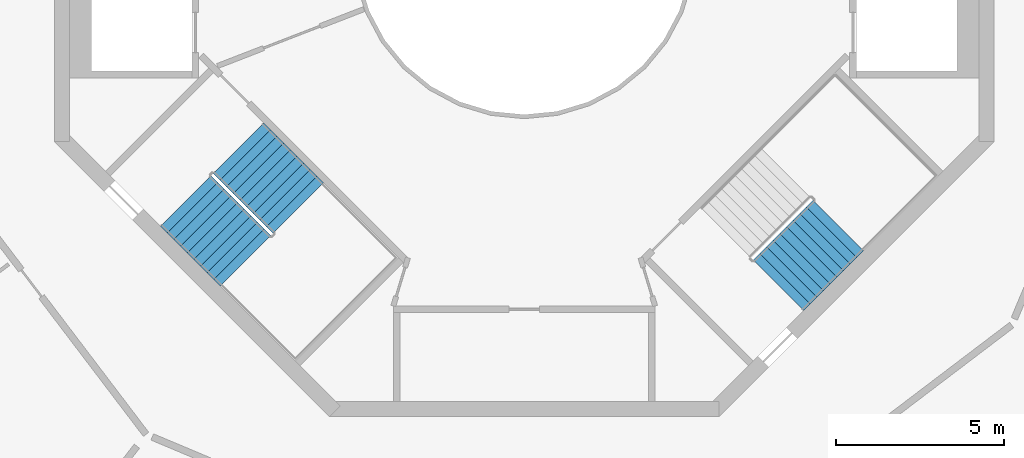
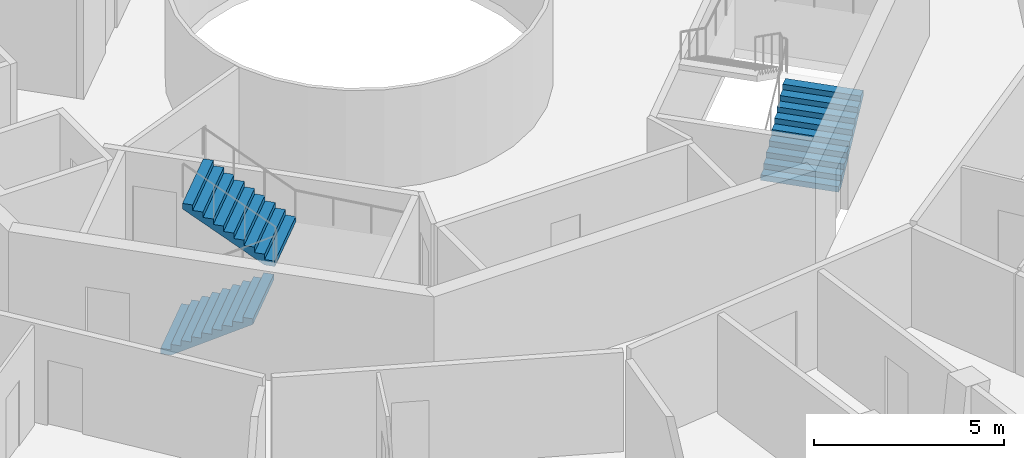
# One storey, part 24 of 26: 3 stair flights, 2 elements without a shape of their own.
"""IFC4 building model written with IfcOpenShell, lengths in metres."""

from ifc_helpers import new_model, si_unit, direction, frame, origin, place, context, subcontext, project, spatial, triangles, material, type_object, element, aggregate, save


model = new_model("IFC4")

# Units and contexts
model_context = context("Model", 3, precision=1e-05, world=origin(), true_north=direction((0.0, 1.0)))
body_context = subcontext(model_context, "Body", "Model", "MODEL_VIEW")
ifc_project = project(units=[si_unit("LENGTHUNIT", "METRE"), si_unit("AREAUNIT", "SQUARE_METRE"), si_unit("VOLUMEUNIT", "CUBIC_METRE"), si_unit("PLANEANGLEUNIT", "RADIAN"), si_unit("MASSUNIT", "GRAM", prefix="KILO")], contexts=[model_context])

# Site, building, storey
site_placement = place(None, origin())
site = spatial("IfcSite", under=ifc_project, at=site_placement, CompositionType="ELEMENT")
building_placement = place(site_placement, origin())
building = spatial("IfcBuilding", under=site, at=building_placement, Name="Verdalira Terraces Hotel", CompositionType="ELEMENT")
storey_placement = place(building_placement, frame((0.0, 0.0, 306.5)))
storey = spatial("IfcBuildingStorey", under=building, at=storey_placement, Name="L76", CompositionType="ELEMENT", Elevation=306.5)

# Stair, stair flights
ifc_material_1 = material(Name="Concrete C40", Category="concrete")
stair_type = type_object("IfcStairType", Name="Core stair 20 risers 2125 mm wide", PredefinedType="HALF_TURN_STAIR", material=ifc_material_1)
stair_1_placement = place(storey_placement, origin())
stair_1 = element("IfcStair", 1, at=stair_1_placement, inside=storey, type_object=stair_type, Name="L76 Exit stair ST2", PredefinedType="HALF_TURN_STAIR")
ifc_material_2 = material(Name="Concrete C40", Category="concrete")
stair_flight_type = type_object("IfcStairFlightType", Name="Core stair flight 20 risers 2125 mm wide", PredefinedType="STRAIGHT", material=ifc_material_2)
stair_flight_1_placement = place(storey_placement, frame((-10.085205, -7.574951, 0.0), z_axis=(0.0, 0.0, 1.0), x_axis=(0.707106781, -0.707106781, 0.0)))
stair_flight_1 = element("IfcStairFlight", 2, at=stair_flight_1_placement, type_object=stair_flight_type, Name="ST2 flight 1", NumberOfRisers=10, NumberOfTreads=9, PredefinedType="STRAIGHT", RiserHeight=0.175, TreadLength=0.28, context=body_context, shape_type="Tessellation", body=[
    triangles([(0.0, 1.0625, 0.0), (0.282715, 1.0625, 0.0), (2.52002, 1.0625, 1.398193), (0.0, -1.0625, 0.0), (0.282715, -1.0625, 0.0), (2.52002, -1.0625, 1.398193), (2.52002, 1.0625, 1.574951), (2.23999, 1.0625, 1.574951), (2.52002, -1.0625, 1.574951), (2.23999, -1.0625, 1.574951), (2.23999, 1.0625, 1.399902), (2.23999, -1.0625, 1.399902), (1.959961, 1.0625, 1.399902), (1.959961, -1.0625, 1.399902), (1.959961, 1.0625, 1.225098), (1.959961, -1.0625, 1.225098), (1.679932, 1.0625, 1.225098), (1.679932, 1.0625, 1.050049), (1.679932, -1.0625, 1.225098), (1.679932, -1.0625, 1.050049), (1.399902, 1.0625, 1.050049), (1.399902, 1.0625, 0.875), (1.399902, -1.0625, 1.050049), (1.399902, -1.0625, 0.875), (1.120117, 1.0625, 0.875), (1.120117, 1.0625, 0.699951), (1.120117, -1.0625, 0.875), (1.120117, -1.0625, 0.699951), (0.840088, 1.0625, 0.699951), (0.840088, 1.0625, 0.524902), (0.840088, -1.0625, 0.699951), (0.840088, -1.0625, 0.524902), (0.560059, 1.0625, 0.524902), (0.560059, 1.0625, 0.350098), (0.560059, -1.0625, 0.524902), (0.560059, -1.0625, 0.350098), (0.280029, 1.0625, 0.350098), (0.280029, 1.0625, 0.175049), (0.280029, -1.0625, 0.350098), (0.280029, -1.0625, 0.175049), (0.0, 1.0625, 0.175049), (0.0, -1.0625, 0.175049), (0.0, -0.996094, 0.0), (0.0, -0.996094, 0.175049), (0.0, -0.929688, 0.0), (0.0, -0.929688, 0.175049), (0.0, -0.863281, 0.0), (0.0, -0.863281, 0.175049), (0.0, -0.796875, 0.0), (0.0, -0.796875, 0.175049), (0.0, -0.730469, 0.0), (0.0, -0.730469, 0.175049), (0.0, -0.664062, 0.0), (0.0, -0.664062, 0.175049), (0.0, -0.597656, 0.0), (0.0, -0.597656, 0.175049), (0.0, -0.53125, 0.0), (0.0, -0.53125, 0.175049), (0.0, -0.464844, 0.0), (0.0, -0.464844, 0.175049), (0.0, -0.398438, 0.0), (0.0, -0.398438, 0.175049), (0.0, -0.332031, 0.0), (0.0, -0.332031, 0.175049), (0.0, -0.265625, 0.0), (0.0, -0.265625, 0.175049), (0.0, -0.199219, 0.0), (0.0, -0.199219, 0.175049), (0.0, -0.132812, 0.0), (0.0, -0.132812, 0.175049), (0.0, -0.066406, 0.0), (0.0, -0.066406, 0.175049), (0.0, 0.0, 0.0), (0.0, 0.0, 0.175049), (0.0, 0.066406, 0.0), (0.0, 0.066406, 0.175049), (0.0, 0.132812, 0.0), (0.0, 0.132812, 0.175049), (0.0, 0.199219, 0.0), (0.0, 0.199219, 0.175049), (0.0, 0.265625, 0.0), (0.0, 0.265625, 0.175049), (0.0, 0.332031, 0.0), (0.0, 0.332031, 0.175049), (0.0, 0.398438, 0.0), (0.0, 0.398438, 0.175049), (0.0, 0.464844, 0.0), (0.0, 0.464844, 0.175049), (0.0, 0.53125, 0.0), (0.0, 0.53125, 0.175049), (0.0, 0.597656, 0.0), (0.0, 0.597656, 0.175049), (0.0, 0.664062, 0.0), (0.0, 0.664062, 0.175049), (0.0, 0.730469, 0.0), (0.0, 0.730469, 0.175049), (0.0, 0.796875, 0.0), (0.0, 0.796875, 0.175049), (0.0, 0.863281, 0.0), (0.0, 0.863281, 0.175049), (0.0, 0.929688, 0.0), (0.0, 0.929688, 0.175049), (0.0, 0.996094, 0.0), (0.0, 0.996094, 0.175049), (2.52002, -0.996094, 1.574951), (2.52002, -0.929688, 1.574951), (2.52002, -0.863281, 1.574951), (2.52002, -0.796875, 1.574951), (2.52002, -0.730469, 1.574951), (2.52002, -0.664062, 1.574951), (2.52002, -0.597656, 1.574951), (2.52002, -0.53125, 1.574951), (2.52002, -0.464844, 1.574951), (2.52002, -0.398438, 1.574951), (2.52002, -0.332031, 1.574951), (2.52002, -0.265625, 1.574951), (2.52002, -0.199219, 1.574951), (2.52002, -0.132812, 1.574951), (2.52002, -0.066406, 1.574951), (2.52002, 0.0, 1.574951), (2.52002, 0.066406, 1.574951), (2.52002, 0.132812, 1.574951), (2.52002, 0.199219, 1.574951), (2.52002, 0.265625, 1.574951), (2.52002, 0.332031, 1.574951), (2.52002, 0.398438, 1.574951), (2.52002, 0.464844, 1.574951), (2.52002, 0.53125, 1.574951), (2.52002, 0.597656, 1.574951), (2.52002, 0.664062, 1.574951), (2.52002, 0.730469, 1.574951), (2.52002, 0.796875, 1.574951), (2.52002, 0.863281, 1.574951), (2.52002, 0.929688, 1.574951), (2.52002, 0.996094, 1.574951), (2.52002, -0.996094, 1.398193), (2.52002, -0.929688, 1.398193), (2.52002, -0.863281, 1.398193), (2.52002, -0.796875, 1.398193), (2.52002, -0.730469, 1.398193), (2.52002, -0.664062, 1.398193), (2.52002, -0.597656, 1.398193), (2.52002, -0.53125, 1.398193), (2.52002, -0.464844, 1.398193), (2.52002, -0.398438, 1.398193), (2.52002, -0.332031, 1.398193), (2.52002, -0.265625, 1.398193), (2.52002, -0.199219, 1.398193), (2.52002, -0.132812, 1.398193), (2.52002, -0.066406, 1.398193), (2.52002, 0.0, 1.398193), (2.52002, 0.066406, 1.398193), (2.52002, 0.132812, 1.398193), (2.52002, 0.199219, 1.398193), (2.52002, 0.265625, 1.398193), (2.52002, 0.332031, 1.398193), (2.52002, 0.398438, 1.398193), (2.52002, 0.464844, 1.398193), (2.52002, 0.53125, 1.398193), (2.52002, 0.597656, 1.398193), (2.52002, 0.664062, 1.398193), (2.52002, 0.730469, 1.398193), (2.52002, 0.796875, 1.398193), (2.52002, 0.863281, 1.398193), (2.52002, 0.929688, 1.398193), (2.52002, 0.996094, 1.398193)], [[1, 3, 2], [4, 5, 6], [3, 8, 7], [6, 9, 10], [3, 11, 8], [6, 10, 12], [3, 13, 11], [6, 12, 14], [3, 15, 13], [6, 14, 16], [15, 18, 17], [16, 19, 20], [3, 18, 15], [6, 16, 20], [18, 22, 21], [20, 23, 24], [3, 22, 18], [6, 20, 24], [22, 26, 25], [24, 27, 28], [3, 26, 22], [6, 24, 28], [26, 30, 29], [28, 31, 32], [3, 30, 26], [6, 28, 32], [1, 30, 3], [4, 6, 32], [30, 34, 33], [32, 35, 36], [34, 38, 37], [36, 39, 40], [30, 38, 34], [32, 36, 40], [1, 38, 30], [4, 32, 40], [38, 1, 41], [40, 42, 4], [4, 44, 43], [4, 42, 44], [43, 46, 45], [43, 44, 46], [45, 48, 47], [45, 46, 48], [47, 50, 49], [47, 48, 50], [49, 52, 51], [49, 50, 52], [51, 54, 53], [51, 52, 54], [53, 56, 55], [53, 54, 56], [55, 58, 57], [55, 56, 58], [57, 60, 59], [57, 58, 60], [59, 62, 61], [59, 60, 62], [61, 64, 63], [61, 62, 64], [63, 66, 65], [63, 64, 66], [65, 68, 67], [65, 66, 68], [67, 70, 69], [67, 68, 70], [69, 72, 71], [69, 70, 72], [71, 74, 73], [71, 72, 74], [73, 76, 75], [73, 74, 76], [75, 78, 77], [75, 76, 78], [77, 80, 79], [77, 78, 80], [79, 82, 81], [79, 80, 82], [81, 84, 83], [81, 82, 84], [83, 86, 85], [83, 84, 86], [85, 88, 87], [85, 86, 88], [87, 90, 89], [87, 88, 90], [89, 92, 91], [89, 90, 92], [91, 94, 93], [91, 92, 94], [93, 96, 95], [93, 94, 96], [95, 98, 97], [95, 96, 98], [97, 100, 99], [97, 98, 100], [99, 102, 101], [99, 100, 102], [101, 104, 103], [101, 102, 104], [103, 41, 1], [103, 104, 41], [42, 40, 44], [44, 40, 46], [46, 40, 48], [48, 40, 50], [50, 40, 52], [52, 40, 54], [54, 40, 56], [56, 40, 58], [58, 40, 60], [60, 40, 62], [62, 40, 64], [64, 40, 66], [66, 40, 68], [68, 40, 70], [70, 40, 72], [72, 40, 74], [74, 40, 76], [76, 40, 78], [78, 40, 80], [80, 40, 82], [82, 40, 84], [84, 40, 86], [86, 40, 88], [88, 40, 90], [90, 40, 92], [92, 40, 94], [94, 40, 96], [96, 40, 98], [98, 40, 100], [100, 40, 102], [102, 40, 104], [104, 40, 41], [41, 40, 38], [40, 37, 38], [40, 39, 37], [39, 34, 37], [39, 36, 34], [36, 33, 34], [36, 35, 33], [35, 30, 33], [35, 32, 30], [32, 29, 30], [32, 31, 29], [31, 26, 29], [31, 28, 26], [28, 25, 26], [28, 27, 25], [27, 22, 25], [27, 24, 22], [24, 21, 22], [24, 23, 21], [23, 18, 21], [23, 20, 18], [20, 17, 18], [20, 19, 17], [19, 15, 17], [19, 16, 15], [16, 13, 15], [16, 14, 13], [14, 11, 13], [14, 12, 11], [12, 8, 11], [12, 10, 8], [9, 105, 10], [105, 106, 10], [106, 107, 10], [107, 108, 10], [108, 109, 10], [109, 110, 10], [110, 111, 10], [111, 112, 10], [112, 113, 10], [113, 114, 10], [114, 115, 10], [115, 116, 10], [116, 117, 10], [117, 118, 10], [118, 119, 10], [119, 120, 10], [120, 121, 10], [121, 122, 10], [122, 123, 10], [123, 124, 10], [124, 125, 10], [125, 126, 10], [126, 127, 10], [127, 128, 10], [128, 129, 10], [129, 130, 10], [130, 131, 10], [131, 132, 10], [132, 133, 10], [133, 134, 10], [134, 135, 10], [135, 7, 10], [7, 8, 10], [9, 136, 105], [9, 6, 136], [105, 137, 106], [105, 136, 137], [106, 138, 107], [106, 137, 138], [107, 139, 108], [107, 138, 139], [108, 140, 109], [108, 139, 140], [109, 141, 110], [109, 140, 141], [110, 142, 111], [110, 141, 142], [111, 143, 112], [111, 142, 143], [112, 144, 113], [112, 143, 144], [113, 145, 114], [113, 144, 145], [114, 146, 115], [114, 145, 146], [115, 147, 116], [115, 146, 147], [116, 148, 117], [116, 147, 148], [117, 149, 118], [117, 148, 149], [118, 150, 119], [118, 149, 150], [119, 151, 120], [119, 150, 151], [120, 152, 121], [120, 151, 152], [121, 153, 122], [121, 152, 153], [122, 154, 123], [122, 153, 154], [123, 155, 124], [123, 154, 155], [124, 156, 125], [124, 155, 156], [125, 157, 126], [125, 156, 157], [126, 158, 127], [126, 157, 158], [127, 159, 128], [127, 158, 159], [128, 160, 129], [128, 159, 160], [129, 161, 130], [129, 160, 161], [130, 162, 131], [130, 161, 162], [131, 163, 132], [131, 162, 163], [132, 164, 133], [132, 163, 164], [133, 165, 134], [133, 164, 165], [134, 166, 135], [134, 165, 166], [135, 3, 7], [135, 166, 3], [6, 5, 136], [136, 5, 137], [137, 5, 138], [138, 5, 139], [139, 5, 140], [140, 5, 141], [141, 5, 142], [142, 5, 143], [143, 5, 144], [144, 5, 145], [145, 5, 146], [146, 5, 147], [147, 5, 148], [148, 5, 149], [149, 5, 150], [150, 5, 151], [151, 5, 152], [152, 5, 153], [153, 5, 154], [154, 5, 155], [155, 5, 156], [156, 5, 157], [157, 5, 158], [158, 5, 159], [159, 5, 160], [160, 5, 161], [161, 5, 162], [162, 5, 163], [163, 5, 164], [164, 5, 165], [165, 5, 166], [166, 5, 3], [3, 5, 2], [4, 43, 5], [43, 45, 5], [45, 47, 5], [47, 49, 5], [49, 51, 5], [51, 53, 5], [53, 55, 5], [55, 57, 5], [57, 59, 5], [59, 61, 5], [61, 63, 5], [63, 65, 5], [65, 67, 5], [67, 69, 5], [69, 71, 5], [71, 73, 5], [73, 75, 5], [75, 77, 5], [77, 79, 5], [79, 81, 5], [81, 83, 5], [83, 85, 5], [85, 87, 5], [87, 89, 5], [89, 91, 5], [91, 93, 5], [93, 95, 5], [95, 97, 5], [97, 99, 5], [99, 101, 5], [101, 103, 5], [103, 1, 5], [1, 2, 5]], closed=True),
])
stair_flight_2_placement = place(storey_placement, frame((-6.72998, -7.783447, 1.75), z_axis=(0.0, 0.0, 1.0), x_axis=(-0.707106781, 0.707106781, 0.0)))
stair_flight_2 = element("IfcStairFlight", 3, at=stair_flight_2_placement, type_object=stair_flight_type, Name="ST2 flight 2", NumberOfRisers=10, NumberOfTreads=9, PredefinedType="STRAIGHT", RiserHeight=0.175, TreadLength=0.28, context=body_context, shape_type="Tessellation", body=[
    triangles([(0.0, 1.0625, 0.0), (0.282715, 1.0625, 0.0), (2.52002, 1.0625, 1.398193), (0.0, -1.0625, 0.0), (0.282715, -1.0625, 0.0), (2.52002, -1.0625, 1.398193), (2.52002, 1.0625, 1.574951), (2.23999, 1.0625, 1.574951), (2.52002, -1.0625, 1.574951), (2.23999, -1.0625, 1.574951), (2.23999, 1.0625, 1.399902), (2.23999, -1.0625, 1.399902), (1.959961, 1.0625, 1.399902), (1.959961, -1.0625, 1.399902), (1.959961, 1.0625, 1.225098), (1.959961, -1.0625, 1.225098), (1.679932, 1.0625, 1.225098), (1.679932, 1.0625, 1.050049), (1.679932, -1.0625, 1.225098), (1.679932, -1.0625, 1.050049), (1.399902, 1.0625, 1.050049), (1.399902, 1.0625, 0.875), (1.399902, -1.0625, 1.050049), (1.399902, -1.0625, 0.875), (1.120117, 1.0625, 0.875), (1.120117, 1.0625, 0.699951), (1.120117, -1.0625, 0.875), (1.120117, -1.0625, 0.699951), (0.840088, 1.0625, 0.699951), (0.840088, 1.0625, 0.524902), (0.840088, -1.0625, 0.699951), (0.840088, -1.0625, 0.524902), (0.560059, 1.0625, 0.524902), (0.560059, 1.0625, 0.350098), (0.560059, -1.0625, 0.524902), (0.560059, -1.0625, 0.350098), (0.280029, 1.0625, 0.350098), (0.280029, 1.0625, 0.175049), (0.280029, -1.0625, 0.350098), (0.280029, -1.0625, 0.175049), (0.0, 1.0625, 0.175049), (0.0, -1.0625, 0.175049), (0.0, -0.996094, 0.0), (0.0, -0.996094, 0.175049), (0.0, -0.929688, 0.0), (0.0, -0.929688, 0.175049), (0.0, -0.863281, 0.0), (0.0, -0.863281, 0.175049), (0.0, -0.796875, 0.0), (0.0, -0.796875, 0.175049), (0.0, -0.730469, 0.0), (0.0, -0.730469, 0.175049), (0.0, -0.664062, 0.0), (0.0, -0.664062, 0.175049), (0.0, -0.597656, 0.0), (0.0, -0.597656, 0.175049), (0.0, -0.53125, 0.0), (0.0, -0.53125, 0.175049), (0.0, -0.464844, 0.0), (0.0, -0.464844, 0.175049), (0.0, -0.398438, 0.0), (0.0, -0.398438, 0.175049), (0.0, -0.332031, 0.0), (0.0, -0.332031, 0.175049), (0.0, -0.265625, 0.0), (0.0, -0.265625, 0.175049), (0.0, -0.199219, 0.0), (0.0, -0.199219, 0.175049), (0.0, -0.132812, 0.0), (0.0, -0.132812, 0.175049), (0.0, -0.066406, 0.0), (0.0, -0.066406, 0.175049), (0.0, 0.0, 0.0), (0.0, 0.0, 0.175049), (0.0, 0.066406, 0.0), (0.0, 0.066406, 0.175049), (0.0, 0.132812, 0.0), (0.0, 0.132812, 0.175049), (0.0, 0.199219, 0.0), (0.0, 0.199219, 0.175049), (0.0, 0.265625, 0.0), (0.0, 0.265625, 0.175049), (0.0, 0.332031, 0.0), (0.0, 0.332031, 0.175049), (0.0, 0.398438, 0.0), (0.0, 0.398438, 0.175049), (0.0, 0.464844, 0.0), (0.0, 0.464844, 0.175049), (0.0, 0.53125, 0.0), (0.0, 0.53125, 0.175049), (0.0, 0.597656, 0.0), (0.0, 0.597656, 0.175049), (0.0, 0.664062, 0.0), (0.0, 0.664062, 0.175049), (0.0, 0.730469, 0.0), (0.0, 0.730469, 0.175049), (0.0, 0.796875, 0.0), (0.0, 0.796875, 0.175049), (0.0, 0.863281, 0.0), (0.0, 0.863281, 0.175049), (0.0, 0.929688, 0.0), (0.0, 0.929688, 0.175049), (0.0, 0.996094, 0.0), (0.0, 0.996094, 0.175049), (2.52002, -0.996094, 1.574951), (2.52002, -0.929688, 1.574951), (2.52002, -0.863281, 1.574951), (2.52002, -0.796875, 1.574951), (2.52002, -0.730469, 1.574951), (2.52002, -0.664062, 1.574951), (2.52002, -0.597656, 1.574951), (2.52002, -0.53125, 1.574951), (2.52002, -0.464844, 1.574951), (2.52002, -0.398438, 1.574951), (2.52002, -0.332031, 1.574951), (2.52002, -0.265625, 1.574951), (2.52002, -0.199219, 1.574951), (2.52002, -0.132812, 1.574951), (2.52002, -0.066406, 1.574951), (2.52002, 0.0, 1.574951), (2.52002, 0.066406, 1.574951), (2.52002, 0.132812, 1.574951), (2.52002, 0.199219, 1.574951), (2.52002, 0.265625, 1.574951), (2.52002, 0.332031, 1.574951), (2.52002, 0.398438, 1.574951), (2.52002, 0.464844, 1.574951), (2.52002, 0.53125, 1.574951), (2.52002, 0.597656, 1.574951), (2.52002, 0.664062, 1.574951), (2.52002, 0.730469, 1.574951), (2.52002, 0.796875, 1.574951), (2.52002, 0.863281, 1.574951), (2.52002, 0.929688, 1.574951), (2.52002, 0.996094, 1.574951), (2.52002, -0.996094, 1.398193), (2.52002, -0.929688, 1.398193), (2.52002, -0.863281, 1.398193), (2.52002, -0.796875, 1.398193), (2.52002, -0.730469, 1.398193), (2.52002, -0.664062, 1.398193), (2.52002, -0.597656, 1.398193), (2.52002, -0.53125, 1.398193), (2.52002, -0.464844, 1.398193), (2.52002, -0.398438, 1.398193), (2.52002, -0.332031, 1.398193), (2.52002, -0.265625, 1.398193), (2.52002, -0.199219, 1.398193), (2.52002, -0.132812, 1.398193), (2.52002, -0.066406, 1.398193), (2.52002, 0.0, 1.398193), (2.52002, 0.066406, 1.398193), (2.52002, 0.132812, 1.398193), (2.52002, 0.199219, 1.398193), (2.52002, 0.265625, 1.398193), (2.52002, 0.332031, 1.398193), (2.52002, 0.398438, 1.398193), (2.52002, 0.464844, 1.398193), (2.52002, 0.53125, 1.398193), (2.52002, 0.597656, 1.398193), (2.52002, 0.664062, 1.398193), (2.52002, 0.730469, 1.398193), (2.52002, 0.796875, 1.398193), (2.52002, 0.863281, 1.398193), (2.52002, 0.929688, 1.398193), (2.52002, 0.996094, 1.398193)], [[1, 3, 2], [4, 5, 6], [3, 8, 7], [6, 9, 10], [3, 11, 8], [6, 10, 12], [3, 13, 11], [6, 12, 14], [3, 15, 13], [6, 14, 16], [15, 18, 17], [16, 19, 20], [3, 18, 15], [6, 16, 20], [18, 22, 21], [20, 23, 24], [3, 22, 18], [6, 20, 24], [22, 26, 25], [24, 27, 28], [3, 26, 22], [6, 24, 28], [26, 30, 29], [28, 31, 32], [3, 30, 26], [6, 28, 32], [1, 30, 3], [4, 6, 32], [30, 34, 33], [32, 35, 36], [34, 38, 37], [36, 39, 40], [30, 38, 34], [32, 36, 40], [1, 38, 30], [4, 32, 40], [38, 1, 41], [40, 42, 4], [4, 44, 43], [4, 42, 44], [43, 46, 45], [43, 44, 46], [45, 48, 47], [45, 46, 48], [47, 50, 49], [47, 48, 50], [49, 52, 51], [49, 50, 52], [51, 54, 53], [51, 52, 54], [53, 56, 55], [53, 54, 56], [55, 58, 57], [55, 56, 58], [57, 60, 59], [57, 58, 60], [59, 62, 61], [59, 60, 62], [61, 64, 63], [61, 62, 64], [63, 66, 65], [63, 64, 66], [65, 68, 67], [65, 66, 68], [67, 70, 69], [67, 68, 70], [69, 72, 71], [69, 70, 72], [71, 74, 73], [71, 72, 74], [73, 76, 75], [73, 74, 76], [75, 78, 77], [75, 76, 78], [77, 80, 79], [77, 78, 80], [79, 82, 81], [79, 80, 82], [81, 84, 83], [81, 82, 84], [83, 86, 85], [83, 84, 86], [85, 88, 87], [85, 86, 88], [87, 90, 89], [87, 88, 90], [89, 92, 91], [89, 90, 92], [91, 94, 93], [91, 92, 94], [93, 96, 95], [93, 94, 96], [95, 98, 97], [95, 96, 98], [97, 100, 99], [97, 98, 100], [99, 102, 101], [99, 100, 102], [101, 104, 103], [101, 102, 104], [103, 41, 1], [103, 104, 41], [42, 40, 44], [44, 40, 46], [46, 40, 48], [48, 40, 50], [50, 40, 52], [52, 40, 54], [54, 40, 56], [56, 40, 58], [58, 40, 60], [60, 40, 62], [62, 40, 64], [64, 40, 66], [66, 40, 68], [68, 40, 70], [70, 40, 72], [72, 40, 74], [74, 40, 76], [76, 40, 78], [78, 40, 80], [80, 40, 82], [82, 40, 84], [84, 40, 86], [86, 40, 88], [88, 40, 90], [90, 40, 92], [92, 40, 94], [94, 40, 96], [96, 40, 98], [98, 40, 100], [100, 40, 102], [102, 40, 104], [104, 40, 41], [41, 40, 38], [40, 37, 38], [40, 39, 37], [39, 34, 37], [39, 36, 34], [36, 33, 34], [36, 35, 33], [35, 30, 33], [35, 32, 30], [32, 29, 30], [32, 31, 29], [31, 26, 29], [31, 28, 26], [28, 25, 26], [28, 27, 25], [27, 22, 25], [27, 24, 22], [24, 21, 22], [24, 23, 21], [23, 18, 21], [23, 20, 18], [20, 17, 18], [20, 19, 17], [19, 15, 17], [19, 16, 15], [16, 13, 15], [16, 14, 13], [14, 11, 13], [14, 12, 11], [12, 8, 11], [12, 10, 8], [9, 105, 10], [105, 106, 10], [106, 107, 10], [107, 108, 10], [108, 109, 10], [109, 110, 10], [110, 111, 10], [111, 112, 10], [112, 113, 10], [113, 114, 10], [114, 115, 10], [115, 116, 10], [116, 117, 10], [117, 118, 10], [118, 119, 10], [119, 120, 10], [120, 121, 10], [121, 122, 10], [122, 123, 10], [123, 124, 10], [124, 125, 10], [125, 126, 10], [126, 127, 10], [127, 128, 10], [128, 129, 10], [129, 130, 10], [130, 131, 10], [131, 132, 10], [132, 133, 10], [133, 134, 10], [134, 135, 10], [135, 7, 10], [7, 8, 10], [9, 136, 105], [9, 6, 136], [105, 137, 106], [105, 136, 137], [106, 138, 107], [106, 137, 138], [107, 139, 108], [107, 138, 139], [108, 140, 109], [108, 139, 140], [109, 141, 110], [109, 140, 141], [110, 142, 111], [110, 141, 142], [111, 143, 112], [111, 142, 143], [112, 144, 113], [112, 143, 144], [113, 145, 114], [113, 144, 145], [114, 146, 115], [114, 145, 146], [115, 147, 116], [115, 146, 147], [116, 148, 117], [116, 147, 148], [117, 149, 118], [117, 148, 149], [118, 150, 119], [118, 149, 150], [119, 151, 120], [119, 150, 151], [120, 152, 121], [120, 151, 152], [121, 153, 122], [121, 152, 153], [122, 154, 123], [122, 153, 154], [123, 155, 124], [123, 154, 155], [124, 156, 125], [124, 155, 156], [125, 157, 126], [125, 156, 157], [126, 158, 127], [126, 157, 158], [127, 159, 128], [127, 158, 159], [128, 160, 129], [128, 159, 160], [129, 161, 130], [129, 160, 161], [130, 162, 131], [130, 161, 162], [131, 163, 132], [131, 162, 163], [132, 164, 133], [132, 163, 164], [133, 165, 134], [133, 164, 165], [134, 166, 135], [134, 165, 166], [135, 3, 7], [135, 166, 3], [6, 5, 136], [136, 5, 137], [137, 5, 138], [138, 5, 139], [139, 5, 140], [140, 5, 141], [141, 5, 142], [142, 5, 143], [143, 5, 144], [144, 5, 145], [145, 5, 146], [146, 5, 147], [147, 5, 148], [148, 5, 149], [149, 5, 150], [150, 5, 151], [151, 5, 152], [152, 5, 153], [153, 5, 154], [154, 5, 155], [155, 5, 156], [156, 5, 157], [157, 5, 158], [158, 5, 159], [159, 5, 160], [160, 5, 161], [161, 5, 162], [162, 5, 163], [163, 5, 164], [164, 5, 165], [165, 5, 166], [166, 5, 3], [3, 5, 2], [4, 43, 5], [43, 45, 5], [45, 47, 5], [47, 49, 5], [49, 51, 5], [51, 53, 5], [53, 55, 5], [55, 57, 5], [57, 59, 5], [59, 61, 5], [61, 63, 5], [63, 65, 5], [65, 67, 5], [67, 69, 5], [69, 71, 5], [71, 73, 5], [73, 75, 5], [75, 77, 5], [77, 79, 5], [79, 81, 5], [81, 83, 5], [83, 85, 5], [85, 87, 5], [87, 89, 5], [89, 91, 5], [91, 93, 5], [93, 95, 5], [95, 97, 5], [97, 99, 5], [99, 101, 5], [101, 103, 5], [103, 1, 5], [1, 2, 5]], closed=True),
])
aggregate(stair_1, [stair_flight_1, stair_flight_2])

# Stair, stair flight
stair_2_placement = place(storey_placement, origin())
stair_2 = element("IfcStair", 4, at=stair_2_placement, inside=storey, type_object=stair_type, Name="L76 Exit stair ST3", PredefinedType="HALF_TURN_STAIR")
stair_flight_3_placement = place(storey_placement, frame((7.574951, -10.085205, 0.0), z_axis=(0.0, 0.0, 1.0), x_axis=(0.707106781, 0.707106781, 0.0)))
stair_flight_3 = element("IfcStairFlight", 5, at=stair_flight_3_placement, type_object=stair_flight_type, Name="ST3 flight 1", NumberOfRisers=10, NumberOfTreads=9, PredefinedType="STRAIGHT", RiserHeight=0.175, TreadLength=0.28, context=body_context, shape_type="Tessellation", body=[
    triangles([(0.0, 1.0625, 0.0), (0.282715, 1.0625, 0.0), (2.52002, 1.0625, 1.398193), (0.0, -1.0625, 0.0), (0.282715, -1.0625, 0.0), (2.52002, -1.0625, 1.398193), (2.52002, 1.0625, 1.574951), (2.23999, 1.0625, 1.574951), (2.52002, -1.0625, 1.574951), (2.23999, -1.0625, 1.574951), (2.23999, 1.0625, 1.399902), (2.23999, -1.0625, 1.399902), (1.959961, 1.0625, 1.399902), (1.959961, -1.0625, 1.399902), (1.959961, 1.0625, 1.225098), (1.959961, -1.0625, 1.225098), (1.679932, 1.0625, 1.225098), (1.679932, 1.0625, 1.050049), (1.679932, -1.0625, 1.225098), (1.679932, -1.0625, 1.050049), (1.399902, 1.0625, 1.050049), (1.399902, 1.0625, 0.875), (1.399902, -1.0625, 1.050049), (1.399902, -1.0625, 0.875), (1.120117, 1.0625, 0.875), (1.120117, 1.0625, 0.699951), (1.120117, -1.0625, 0.875), (1.120117, -1.0625, 0.699951), (0.840088, 1.0625, 0.699951), (0.840088, 1.0625, 0.524902), (0.840088, -1.0625, 0.699951), (0.840088, -1.0625, 0.524902), (0.560059, 1.0625, 0.524902), (0.560059, 1.0625, 0.350098), (0.560059, -1.0625, 0.524902), (0.560059, -1.0625, 0.350098), (0.280029, 1.0625, 0.350098), (0.280029, 1.0625, 0.175049), (0.280029, -1.0625, 0.350098), (0.280029, -1.0625, 0.175049), (0.0, 1.0625, 0.175049), (0.0, -1.0625, 0.175049), (0.0, -0.996094, 0.0), (0.0, -0.996094, 0.175049), (0.0, -0.929688, 0.0), (0.0, -0.929688, 0.175049), (0.0, -0.863281, 0.0), (0.0, -0.863281, 0.175049), (0.0, -0.796875, 0.0), (0.0, -0.796875, 0.175049), (0.0, -0.730469, 0.0), (0.0, -0.730469, 0.175049), (0.0, -0.664062, 0.0), (0.0, -0.664062, 0.175049), (0.0, -0.597656, 0.0), (0.0, -0.597656, 0.175049), (0.0, -0.53125, 0.0), (0.0, -0.53125, 0.175049), (0.0, -0.464844, 0.0), (0.0, -0.464844, 0.175049), (0.0, -0.398438, 0.0), (0.0, -0.398438, 0.175049), (0.0, -0.332031, 0.0), (0.0, -0.332031, 0.175049), (0.0, -0.265625, 0.0), (0.0, -0.265625, 0.175049), (0.0, -0.199219, 0.0), (0.0, -0.199219, 0.175049), (0.0, -0.132812, 0.0), (0.0, -0.132812, 0.175049), (0.0, -0.066406, 0.0), (0.0, -0.066406, 0.175049), (0.0, 0.0, 0.0), (0.0, 0.0, 0.175049), (0.0, 0.066406, 0.0), (0.0, 0.066406, 0.175049), (0.0, 0.132812, 0.0), (0.0, 0.132812, 0.175049), (0.0, 0.199219, 0.0), (0.0, 0.199219, 0.175049), (0.0, 0.265625, 0.0), (0.0, 0.265625, 0.175049), (0.0, 0.332031, 0.0), (0.0, 0.332031, 0.175049), (0.0, 0.398438, 0.0), (0.0, 0.398438, 0.175049), (0.0, 0.464844, 0.0), (0.0, 0.464844, 0.175049), (0.0, 0.53125, 0.0), (0.0, 0.53125, 0.175049), (0.0, 0.597656, 0.0), (0.0, 0.597656, 0.175049), (0.0, 0.664062, 0.0), (0.0, 0.664062, 0.175049), (0.0, 0.730469, 0.0), (0.0, 0.730469, 0.175049), (0.0, 0.796875, 0.0), (0.0, 0.796875, 0.175049), (0.0, 0.863281, 0.0), (0.0, 0.863281, 0.175049), (0.0, 0.929688, 0.0), (0.0, 0.929688, 0.175049), (0.0, 0.996094, 0.0), (0.0, 0.996094, 0.175049), (2.52002, -0.996094, 1.574951), (2.52002, -0.929688, 1.574951), (2.52002, -0.863281, 1.574951), (2.52002, -0.796875, 1.574951), (2.52002, -0.730469, 1.574951), (2.52002, -0.664062, 1.574951), (2.52002, -0.597656, 1.574951), (2.52002, -0.53125, 1.574951), (2.52002, -0.464844, 1.574951), (2.52002, -0.398438, 1.574951), (2.52002, -0.332031, 1.574951), (2.52002, -0.265625, 1.574951), (2.52002, -0.199219, 1.574951), (2.52002, -0.132812, 1.574951), (2.52002, -0.066406, 1.574951), (2.52002, 0.0, 1.574951), (2.52002, 0.066406, 1.574951), (2.52002, 0.132812, 1.574951), (2.52002, 0.199219, 1.574951), (2.52002, 0.265625, 1.574951), (2.52002, 0.332031, 1.574951), (2.52002, 0.398438, 1.574951), (2.52002, 0.464844, 1.574951), (2.52002, 0.53125, 1.574951), (2.52002, 0.597656, 1.574951), (2.52002, 0.664062, 1.574951), (2.52002, 0.730469, 1.574951), (2.52002, 0.796875, 1.574951), (2.52002, 0.863281, 1.574951), (2.52002, 0.929688, 1.574951), (2.52002, 0.996094, 1.574951), (2.52002, -0.996094, 1.398193), (2.52002, -0.929688, 1.398193), (2.52002, -0.863281, 1.398193), (2.52002, -0.796875, 1.398193), (2.52002, -0.730469, 1.398193), (2.52002, -0.664062, 1.398193), (2.52002, -0.597656, 1.398193), (2.52002, -0.53125, 1.398193), (2.52002, -0.464844, 1.398193), (2.52002, -0.398438, 1.398193), (2.52002, -0.332031, 1.398193), (2.52002, -0.265625, 1.398193), (2.52002, -0.199219, 1.398193), (2.52002, -0.132812, 1.398193), (2.52002, -0.066406, 1.398193), (2.52002, 0.0, 1.398193), (2.52002, 0.066406, 1.398193), (2.52002, 0.132812, 1.398193), (2.52002, 0.199219, 1.398193), (2.52002, 0.265625, 1.398193), (2.52002, 0.332031, 1.398193), (2.52002, 0.398438, 1.398193), (2.52002, 0.464844, 1.398193), (2.52002, 0.53125, 1.398193), (2.52002, 0.597656, 1.398193), (2.52002, 0.664062, 1.398193), (2.52002, 0.730469, 1.398193), (2.52002, 0.796875, 1.398193), (2.52002, 0.863281, 1.398193), (2.52002, 0.929688, 1.398193), (2.52002, 0.996094, 1.398193)], [[1, 3, 2], [4, 5, 6], [3, 8, 7], [6, 9, 10], [3, 11, 8], [6, 10, 12], [3, 13, 11], [6, 12, 14], [3, 15, 13], [6, 14, 16], [15, 18, 17], [16, 19, 20], [3, 18, 15], [6, 16, 20], [18, 22, 21], [20, 23, 24], [3, 22, 18], [6, 20, 24], [22, 26, 25], [24, 27, 28], [3, 26, 22], [6, 24, 28], [26, 30, 29], [28, 31, 32], [3, 30, 26], [6, 28, 32], [1, 30, 3], [4, 6, 32], [30, 34, 33], [32, 35, 36], [34, 38, 37], [36, 39, 40], [30, 38, 34], [32, 36, 40], [1, 38, 30], [4, 32, 40], [38, 1, 41], [40, 42, 4], [4, 44, 43], [4, 42, 44], [43, 46, 45], [43, 44, 46], [45, 48, 47], [45, 46, 48], [47, 50, 49], [47, 48, 50], [49, 52, 51], [49, 50, 52], [51, 54, 53], [51, 52, 54], [53, 56, 55], [53, 54, 56], [55, 58, 57], [55, 56, 58], [57, 60, 59], [57, 58, 60], [59, 62, 61], [59, 60, 62], [61, 64, 63], [61, 62, 64], [63, 66, 65], [63, 64, 66], [65, 68, 67], [65, 66, 68], [67, 70, 69], [67, 68, 70], [69, 72, 71], [69, 70, 72], [71, 74, 73], [71, 72, 74], [73, 76, 75], [73, 74, 76], [75, 78, 77], [75, 76, 78], [77, 80, 79], [77, 78, 80], [79, 82, 81], [79, 80, 82], [81, 84, 83], [81, 82, 84], [83, 86, 85], [83, 84, 86], [85, 88, 87], [85, 86, 88], [87, 90, 89], [87, 88, 90], [89, 92, 91], [89, 90, 92], [91, 94, 93], [91, 92, 94], [93, 96, 95], [93, 94, 96], [95, 98, 97], [95, 96, 98], [97, 100, 99], [97, 98, 100], [99, 102, 101], [99, 100, 102], [101, 104, 103], [101, 102, 104], [103, 41, 1], [103, 104, 41], [42, 40, 44], [44, 40, 46], [46, 40, 48], [48, 40, 50], [50, 40, 52], [52, 40, 54], [54, 40, 56], [56, 40, 58], [58, 40, 60], [60, 40, 62], [62, 40, 64], [64, 40, 66], [66, 40, 68], [68, 40, 70], [70, 40, 72], [72, 40, 74], [74, 40, 76], [76, 40, 78], [78, 40, 80], [80, 40, 82], [82, 40, 84], [84, 40, 86], [86, 40, 88], [88, 40, 90], [90, 40, 92], [92, 40, 94], [94, 40, 96], [96, 40, 98], [98, 40, 100], [100, 40, 102], [102, 40, 104], [104, 40, 41], [41, 40, 38], [40, 37, 38], [40, 39, 37], [39, 34, 37], [39, 36, 34], [36, 33, 34], [36, 35, 33], [35, 30, 33], [35, 32, 30], [32, 29, 30], [32, 31, 29], [31, 26, 29], [31, 28, 26], [28, 25, 26], [28, 27, 25], [27, 22, 25], [27, 24, 22], [24, 21, 22], [24, 23, 21], [23, 18, 21], [23, 20, 18], [20, 17, 18], [20, 19, 17], [19, 15, 17], [19, 16, 15], [16, 13, 15], [16, 14, 13], [14, 11, 13], [14, 12, 11], [12, 8, 11], [12, 10, 8], [9, 105, 10], [105, 106, 10], [106, 107, 10], [107, 108, 10], [108, 109, 10], [109, 110, 10], [110, 111, 10], [111, 112, 10], [112, 113, 10], [113, 114, 10], [114, 115, 10], [115, 116, 10], [116, 117, 10], [117, 118, 10], [118, 119, 10], [119, 120, 10], [120, 121, 10], [121, 122, 10], [122, 123, 10], [123, 124, 10], [124, 125, 10], [125, 126, 10], [126, 127, 10], [127, 128, 10], [128, 129, 10], [129, 130, 10], [130, 131, 10], [131, 132, 10], [132, 133, 10], [133, 134, 10], [134, 135, 10], [135, 7, 10], [7, 8, 10], [9, 136, 105], [9, 6, 136], [105, 137, 106], [105, 136, 137], [106, 138, 107], [106, 137, 138], [107, 139, 108], [107, 138, 139], [108, 140, 109], [108, 139, 140], [109, 141, 110], [109, 140, 141], [110, 142, 111], [110, 141, 142], [111, 143, 112], [111, 142, 143], [112, 144, 113], [112, 143, 144], [113, 145, 114], [113, 144, 145], [114, 146, 115], [114, 145, 146], [115, 147, 116], [115, 146, 147], [116, 148, 117], [116, 147, 148], [117, 149, 118], [117, 148, 149], [118, 150, 119], [118, 149, 150], [119, 151, 120], [119, 150, 151], [120, 152, 121], [120, 151, 152], [121, 153, 122], [121, 152, 153], [122, 154, 123], [122, 153, 154], [123, 155, 124], [123, 154, 155], [124, 156, 125], [124, 155, 156], [125, 157, 126], [125, 156, 157], [126, 158, 127], [126, 157, 158], [127, 159, 128], [127, 158, 159], [128, 160, 129], [128, 159, 160], [129, 161, 130], [129, 160, 161], [130, 162, 131], [130, 161, 162], [131, 163, 132], [131, 162, 163], [132, 164, 133], [132, 163, 164], [133, 165, 134], [133, 164, 165], [134, 166, 135], [134, 165, 166], [135, 3, 7], [135, 166, 3], [6, 5, 136], [136, 5, 137], [137, 5, 138], [138, 5, 139], [139, 5, 140], [140, 5, 141], [141, 5, 142], [142, 5, 143], [143, 5, 144], [144, 5, 145], [145, 5, 146], [146, 5, 147], [147, 5, 148], [148, 5, 149], [149, 5, 150], [150, 5, 151], [151, 5, 152], [152, 5, 153], [153, 5, 154], [154, 5, 155], [155, 5, 156], [156, 5, 157], [157, 5, 158], [158, 5, 159], [159, 5, 160], [160, 5, 161], [161, 5, 162], [162, 5, 163], [163, 5, 164], [164, 5, 165], [165, 5, 166], [166, 5, 3], [3, 5, 2], [4, 43, 5], [43, 45, 5], [45, 47, 5], [47, 49, 5], [49, 51, 5], [51, 53, 5], [53, 55, 5], [55, 57, 5], [57, 59, 5], [59, 61, 5], [61, 63, 5], [63, 65, 5], [65, 67, 5], [67, 69, 5], [69, 71, 5], [71, 73, 5], [73, 75, 5], [75, 77, 5], [77, 79, 5], [79, 81, 5], [81, 83, 5], [83, 85, 5], [85, 87, 5], [87, 89, 5], [89, 91, 5], [91, 93, 5], [93, 95, 5], [95, 97, 5], [97, 99, 5], [99, 101, 5], [101, 103, 5], [103, 1, 5], [1, 2, 5]], closed=True),
])
aggregate(stair_2, [stair_flight_3])

save(model, "model.ifc")
